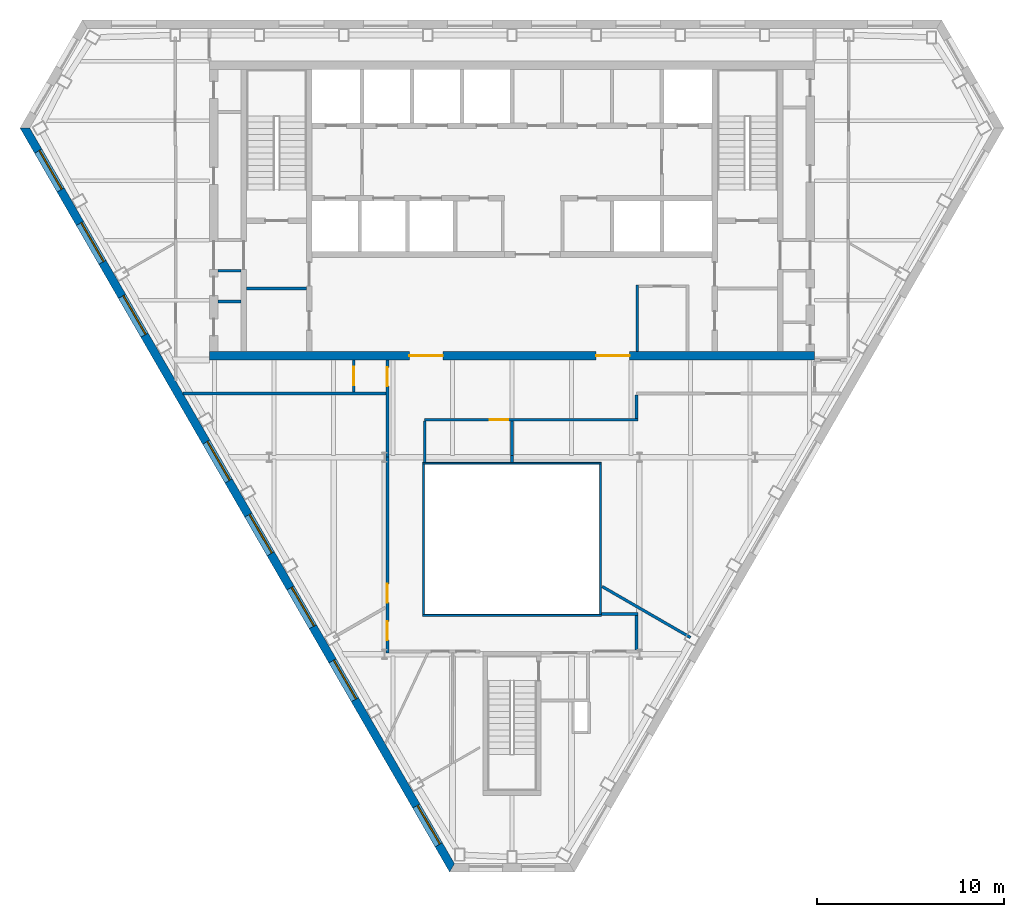
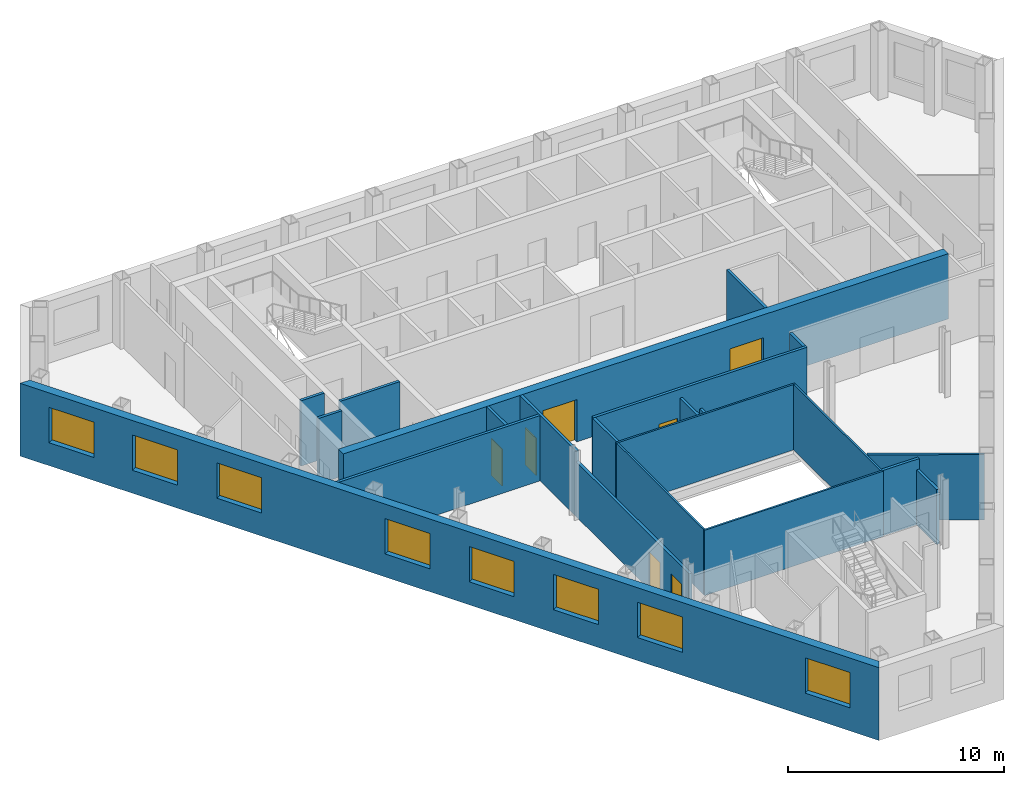
# One storey, part 4 of 10: 22 walls, 8 windows, 7 doors, 15 openings.
"""IFC4 building model written with IfcOpenShell, lengths in metres."""

from ifc_helpers import new_model, si_unit, direction, frame, frame_2d, origin, place, context, subcontext, project, spatial, polyline, rectangle, outline, extrude, material, layer, layer_set, type_object, element, fill, save


model = new_model("IFC4")

# Units and contexts
model_context = context("Model", 3, precision=1e-05, world=origin(), true_north=direction((0.0, 1.0)))
body_context = subcontext(model_context, "Body", "Model", "MODEL_VIEW")
ifc_project = project(units=[si_unit("LENGTHUNIT", "METRE"), si_unit("AREAUNIT", "SQUARE_METRE"), si_unit("VOLUMEUNIT", "CUBIC_METRE"), si_unit("PLANEANGLEUNIT", "RADIAN"), si_unit("MASSUNIT", "GRAM", prefix="KILO")], contexts=[model_context])

# Site, building, storey
site_placement = place(None, origin())
site = spatial("IfcSite", under=ifc_project, at=site_placement, CompositionType="ELEMENT")
building_placement = place(site_placement, origin())
building = spatial("IfcBuilding", under=site, at=building_placement, Name="Njiva Tower", CompositionType="ELEMENT")
storey_placement = place(building_placement, frame((0.0, 0.0, 235.5)))
storey = spatial("IfcBuildingStorey", under=building, at=storey_placement, Name="L53", CompositionType="ELEMENT", Elevation=235.5)

# Walls
ifc_material_1 = material(Name="Blockwork", Category="masonry")
ifc_layer_1 = layer(ifc_material_1, 0.15)
ifc_layer_set_1 = layer_set([ifc_layer_1], Name="Blockwork")
wall_type_1 = type_object("IfcWallType", Name="WT1 Compartment partition 150", PredefinedType="PARTITIONING", material=ifc_layer_set_1)
wall_1_placement = place(storey_placement, frame((-14.2, 5.825, 0.0), z_axis=(0.0, 0.0, 1.0), x_axis=(1.0, 0.0, 0.0)))
element("IfcWall", 1, at=wall_1_placement, inside=storey, type_object=wall_type_1, Name="Room wall A", PredefinedType="PARTITIONING", context=body_context, shape_type="SweptSolid", body=[
    extrude(rectangle(XDim=3.2, YDim=0.15, at=frame_2d((1.6, 0.0))), origin(), (0.0, 0.0, 1.0), 3.7),
])
wall_2_placement = place(storey_placement, frame((-15.75, 5.125, 0.0), z_axis=(0.0, 0.0, 1.0), x_axis=(1.0, 0.0, 0.0)))
element("IfcWall", 2, at=wall_2_placement, inside=storey, type_object=wall_type_1, Name="Partition strip W00", PredefinedType="PARTITIONING", context=body_context, shape_type="SweptSolid", body=[
    extrude(rectangle(XDim=1.25, YDim=0.15, at=frame_2d((0.625, 0.0))), origin(), (0.0, 0.0, 1.0), 3.7),
])
wall_3_placement = place(storey_placement, frame((6.7, 2.45, 0.0), z_axis=(0.0, 0.0, 1.0), x_axis=(0.0, 1.0, 0.0)))
element("IfcWall", 3, at=wall_3_placement, inside=storey, type_object=wall_type_1, Name="Security office wall west", PredefinedType="PARTITIONING", context=body_context, shape_type="SweptSolid", body=[
    extrude(rectangle(XDim=3.575, YDim=0.15, at=frame_2d((1.7875, 0.0))), origin(), (0.0, 0.0, 1.0), 3.7),
])

# Wall, openings, doors
ifc_material_2 = material(Name="Concrete C60/75", Category="concrete")
ifc_layer_2 = layer(ifc_material_2, 0.45)
ifc_layer_set_2 = layer_set([ifc_layer_2], Name="Concrete C60/75")
wall_type_2 = type_object("IfcWallType", Name="WT12 Core wall 450", PredefinedType="SHEAR", material=ifc_layer_set_2)
wall_4_placement = place(storey_placement, frame((-16.2, 2.225, 0.0), z_axis=(0.0, 0.0, 1.0), x_axis=(1.0, 0.0, 0.0)))
wall_4 = element("IfcWall", 4, at=wall_4_placement, inside=storey, type_object=wall_type_2, Name="Core wall south", PredefinedType="SHEAR", context=body_context, shape_type="SweptSolid", body=[
    extrude(rectangle(XDim=32.4, YDim=0.45, at=frame_2d((16.2, 0.0))), origin(), (0.0, 0.0, 1.0), 3.7),
])
opening_1_placement = place(wall_4_placement, frame((10.7, 0.0, 0.0)))
opening_1 = element("IfcOpeningElement", 5, at=opening_1_placement, cuts=wall_4, Name="Opening S17-D936", PredefinedType="OPENING", context=body_context, shape_type="SweptSolid", body=[
    extrude(rectangle(XDim=1.8, YDim=2.4, at=frame_2d((0.9, 1.2))), frame((0.0, 0.235, 0.0), z_axis=(0.0, -1.0, 0.0), x_axis=(1.0, 0.0, 0.0)), (0.0, 0.0, 1.0), 0.47),
])
opening_2_placement = place(wall_4_placement, frame((20.7, 0.0, 0.0)))
opening_2 = element("IfcOpeningElement", 6, at=opening_2_placement, cuts=wall_4, Name="Opening S17-D937", PredefinedType="OPENING", context=body_context, shape_type="SweptSolid", body=[
    extrude(rectangle(XDim=1.8, YDim=2.4, at=frame_2d((0.9, 1.2))), frame((0.0, 0.235, 0.0), z_axis=(0.0, -1.0, 0.0), x_axis=(1.0, 0.0, 0.0)), (0.0, 0.0, 1.0), 0.47),
])
ifc_material_3 = material(Name="Steel and glass door", Category="steel")
door_type_1 = type_object("IfcDoorType", Name="D3 Core entrance door 1800x2400", OperationType="DOUBLE_DOOR_SINGLE_SWING", PredefinedType="DOOR", material=ifc_material_3)
door_1_placement = place(opening_1_placement, origin())
door_1 = element("IfcDoor", 7, at=door_1_placement, inside=storey, type_object=door_type_1, Name="Core entrance door", OperationType="DOUBLE_DOOR_SINGLE_SWING", OverallHeight=2.4, OverallWidth=1.8, PredefinedType="DOOR", context=body_context, shape_type="SweptSolid", body=[
    extrude(rectangle(XDim=1.8, YDim=2.4, at=frame_2d((0.9, 1.2))), frame((0.0, 0.025, 0.0), z_axis=(0.0, -1.0, 0.0), x_axis=(1.0, 0.0, 0.0)), (0.0, 0.0, 1.0), 0.05),
])
fill(opening_1, door_1)
door_2_placement = place(opening_2_placement, origin())
door_2 = element("IfcDoor", 8, at=door_2_placement, inside=storey, type_object=door_type_1, Name="Core entrance door", OperationType="DOUBLE_DOOR_SINGLE_SWING", OverallHeight=2.4, OverallWidth=1.8, PredefinedType="DOOR", context=body_context, shape_type="SweptSolid", body=[
    extrude(rectangle(XDim=1.8, YDim=2.4, at=frame_2d((0.9, 1.2))), frame((0.0, 0.025, 0.0), z_axis=(0.0, -1.0, 0.0), x_axis=(1.0, 0.0, 0.0)), (0.0, 0.0, 1.0), 0.05),
])
fill(opening_2, door_2)

# Wall
ifc_material_4 = material(Name="Gypsum board on steel studs", Category="gypsum")
ifc_layer_3 = layer(ifc_material_4, 0.15)
ifc_layer_set_3 = layer_set([ifc_layer_3], Name="Gypsum board on steel studs")
wall_type_3 = type_object("IfcWallType", Name="WT21 Compartment wall 150", PredefinedType="PARTITIONING", material=ifc_layer_set_3)
wall_5_placement = place(storey_placement, frame((-17.608, 0.2, 0.0), z_axis=(0.0, 0.0, 1.0), x_axis=(1.0, 0.0, 0.0)))
element("IfcWall", 9, at=wall_5_placement, inside=storey, type_object=wall_type_3, Name="Partition S17-P004", PredefinedType="PARTITIONING", context=body_context, shape_type="SweptSolid", body=[
    extrude(rectangle(XDim=10.863, YDim=0.15, at=frame_2d((5.4315, 0.0))), origin(), (0.0, 0.0, 1.0), 3.7),
])

# Wall, opening, door
wall_6_placement = place(storey_placement, frame((-8.47, 0.275, 0.0), z_axis=(0.0, 0.0, 1.0), x_axis=(0.0, 1.0, 0.0)))
wall_6 = element("IfcWall", 10, at=wall_6_placement, inside=storey, type_object=wall_type_3, Name="Partition S17-P007", PredefinedType="PARTITIONING", context=body_context, shape_type="SweptSolid", body=[
    extrude(rectangle(XDim=1.725, YDim=0.15, at=frame_2d((0.8625, 0.0))), origin(), (0.0, 0.0, 1.0), 3.7),
])
opening_3_placement = place(wall_6_placement, frame((0.363, 0.0, 0.0)))
opening_3 = element("IfcOpeningElement", 11, at=opening_3_placement, cuts=wall_6, Name="Opening S17-D005", PredefinedType="OPENING", context=body_context, shape_type="SweptSolid", body=[
    extrude(rectangle(XDim=1.0, YDim=2.1, at=frame_2d((0.5, 1.05))), frame((0.0, 0.085, 0.0), z_axis=(0.0, -1.0, 0.0), x_axis=(1.0, 0.0, 0.0)), (0.0, 0.0, 1.0), 0.17),
])
ifc_material_5 = material(Name="Steel fire door set", Category="steel")
door_type_2 = type_object("IfcDoorType", Name="D37 Fire door 1000x2100", OperationType="SINGLE_SWING_LEFT", PredefinedType="DOOR", material=ifc_material_5)
door_3_placement = place(opening_3_placement, origin())
door_3 = element("IfcDoor", 12, at=door_3_placement, inside=storey, type_object=door_type_2, Name="Door S17-D005", OperationType="SINGLE_SWING_LEFT", OverallHeight=2.1, OverallWidth=1.0, PredefinedType="DOOR", context=body_context, shape_type="SweptSolid", body=[
    extrude(rectangle(XDim=1.0, YDim=2.1, at=frame_2d((0.5, 1.05))), frame((0.0, 0.025, 0.0), z_axis=(0.0, -1.0, 0.0), x_axis=(1.0, 0.0, 0.0)), (0.0, 0.0, 1.0), 0.05),
])
fill(opening_3, door_3)

# Wall, openings, doors
wall_7_placement = place(storey_placement, frame((-6.67, -13.675, 0.0), z_axis=(0.0, 0.0, 1.0), x_axis=(0.0, 1.0, 0.0)))
wall_7 = element("IfcWall", 13, at=wall_7_placement, inside=storey, type_object=wall_type_3, Name="Partition S17-P009", PredefinedType="PARTITIONING", context=body_context, shape_type="SweptSolid", body=[
    extrude(rectangle(XDim=10.475, YDim=0.15, at=frame_2d((5.2375, 0.0))), origin(), (0.0, 0.0, 1.0), 3.11),
])
opening_4_placement = place(wall_7_placement, frame((0.678, 0.0, 0.0)))
opening_4 = element("IfcOpeningElement", 14, at=opening_4_placement, cuts=wall_7, Name="Opening S17-D006", PredefinedType="OPENING", context=body_context, shape_type="SweptSolid", body=[
    extrude(rectangle(XDim=1.0, YDim=2.1, at=frame_2d((0.5, 1.05))), frame((0.0, 0.085, 0.0), z_axis=(0.0, -1.0, 0.0), x_axis=(1.0, 0.0, 0.0)), (0.0, 0.0, 1.0), 0.17),
])
opening_5_placement = place(wall_7_placement, frame((2.685, 0.0, 0.0)))
opening_5 = element("IfcOpeningElement", 15, at=opening_5_placement, cuts=wall_7, Name="Opening S17-D007", PredefinedType="OPENING", context=body_context, shape_type="SweptSolid", body=[
    extrude(rectangle(XDim=1.0, YDim=2.1, at=frame_2d((0.5, 1.05))), frame((0.0, 0.085, 0.0), z_axis=(0.0, -1.0, 0.0), x_axis=(1.0, 0.0, 0.0)), (0.0, 0.0, 1.0), 0.17),
])
door_4_placement = place(opening_4_placement, origin())
door_4 = element("IfcDoor", 16, at=door_4_placement, inside=storey, type_object=door_type_2, Name="Door S17-D006", OperationType="SINGLE_SWING_RIGHT", OverallHeight=2.1, OverallWidth=1.0, PredefinedType="DOOR", context=body_context, shape_type="SweptSolid", body=[
    extrude(rectangle(XDim=1.0, YDim=2.1, at=frame_2d((0.5, 1.05))), frame((0.0, 0.025, 0.0), z_axis=(0.0, -1.0, 0.0), x_axis=(1.0, 0.0, 0.0)), (0.0, 0.0, 1.0), 0.05),
])
fill(opening_4, door_4)
door_5_placement = place(opening_5_placement, origin())
door_5 = element("IfcDoor", 17, at=door_5_placement, inside=storey, type_object=door_type_2, Name="Door S17-D007", OperationType="SINGLE_SWING_RIGHT", OverallHeight=2.1, OverallWidth=1.0, PredefinedType="DOOR", context=body_context, shape_type="SweptSolid", body=[
    extrude(rectangle(XDim=1.0, YDim=2.1, at=frame_2d((0.5, 1.05))), frame((0.0, 0.025, 0.0), z_axis=(0.0, -1.0, 0.0), x_axis=(1.0, 0.0, 0.0)), (0.0, 0.0, 1.0), 0.05),
])
fill(opening_5, door_5)

# Wall, opening, door
wall_8_placement = place(storey_placement, frame((-6.67, -3.2, 0.0), z_axis=(0.0, 0.0, 1.0), x_axis=(0.0, 1.0, 0.0)))
wall_8 = element("IfcWall", 18, at=wall_8_placement, inside=storey, type_object=wall_type_3, Name="Partition S17-P009A", PredefinedType="PARTITIONING", context=body_context, shape_type="SweptSolid", body=[
    extrude(rectangle(XDim=5.2, YDim=0.15, at=frame_2d((2.6, 0.0))), origin(), (0.0, 0.0, 1.0), 3.7),
])
opening_6_placement = place(wall_8_placement, frame((3.8, 0.0, 0.0)))
opening_6 = element("IfcOpeningElement", 19, at=opening_6_placement, cuts=wall_8, Name="Opening S17-D008", PredefinedType="OPENING", context=body_context, shape_type="SweptSolid", body=[
    extrude(rectangle(XDim=1.0, YDim=2.1, at=frame_2d((0.5, 1.05))), frame((0.0, 0.085, 0.0), z_axis=(0.0, -1.0, 0.0), x_axis=(1.0, 0.0, 0.0)), (0.0, 0.0, 1.0), 0.17),
])
door_6_placement = place(opening_6_placement, origin())
door_6 = element("IfcDoor", 20, at=door_6_placement, inside=storey, type_object=door_type_2, Name="Door S17-D008", OperationType="SINGLE_SWING_LEFT", OverallHeight=2.1, OverallWidth=1.0, PredefinedType="DOOR", context=body_context, shape_type="SweptSolid", body=[
    extrude(rectangle(XDim=1.0, YDim=2.1, at=frame_2d((0.5, 1.05))), frame((0.0, 0.025, 0.0), z_axis=(0.0, -1.0, 0.0), x_axis=(1.0, 0.0, 0.0)), (0.0, 0.0, 1.0), 0.05),
])
fill(opening_6, door_6)

wall_9_placement = place(storey_placement, frame((-4.681, -1.2, 0.0), z_axis=(0.0, 0.0, 1.0), x_axis=(1.0, 0.0, 0.0)))
wall_9 = element("IfcWall", 21, at=wall_9_placement, inside=storey, type_object=wall_type_3, Name="Partition S17-P012", PredefinedType="PARTITIONING", context=body_context, shape_type="SweptSolid", body=[
    extrude(rectangle(XDim=11.426, YDim=0.15, at=frame_2d((5.713, 0.0))), origin(), (0.0, 0.0, 1.0), 3.7),
])
opening_7_placement = place(wall_9_placement, frame((3.481, 0.0, 0.0)))
opening_7 = element("IfcOpeningElement", 22, at=opening_7_placement, cuts=wall_9, Name="Opening S17-D011", PredefinedType="OPENING", context=body_context, shape_type="SweptSolid", body=[
    extrude(rectangle(XDim=1.0, YDim=2.1, at=frame_2d((0.5, 1.05))), frame((0.0, 0.085, 0.0), z_axis=(0.0, -1.0, 0.0), x_axis=(1.0, 0.0, 0.0)), (0.0, 0.0, 1.0), 0.17),
])
door_7_placement = place(opening_7_placement, origin())
door_7 = element("IfcDoor", 23, at=door_7_placement, inside=storey, type_object=door_type_2, Name="Door S17-D011", OperationType="SINGLE_SWING_LEFT", OverallHeight=2.1, OverallWidth=1.0, PredefinedType="DOOR", context=body_context, shape_type="SweptSolid", body=[
    extrude(rectangle(XDim=1.0, YDim=2.1, at=frame_2d((0.5, 1.05))), frame((0.0, 0.025, 0.0), z_axis=(0.0, -1.0, 0.0), x_axis=(1.0, 0.0, 0.0)), (0.0, 0.0, 1.0), 0.05),
])
fill(opening_7, door_7)

# Walls
wall_10_placement = place(storey_placement, frame((-4.67, -3.48, 0.0), z_axis=(0.0, 0.0, 1.0), x_axis=(0.000453514693, 0.999999897162, 0.0)))
element("IfcWall", 24, at=wall_10_placement, inside=storey, type_object=wall_type_3, Name="Partition S17-P013", PredefinedType="PARTITIONING", context=body_context, shape_type="SweptSolid", body=[
    extrude(rectangle(XDim=2.205, YDim=0.15, at=frame_2d((1.1025, 0.0))), origin(), (0.0, 0.0, 1.0), 3.7),
])
wall_11_placement = place(storey_placement, frame((-0.001, -3.48, 0.0), z_axis=(0.0, 0.0, 1.0), x_axis=(0.000526315717, 0.999999861496, 0.0)))
element("IfcWall", 25, at=wall_11_placement, inside=storey, type_object=wall_type_3, Name="Partition S17-P016", PredefinedType="PARTITIONING", context=body_context, shape_type="SweptSolid", body=[
    extrude(rectangle(XDim=0.38, YDim=0.15, at=frame_2d((0.19, 0.0))), origin(), (0.0, 0.0, 1.0), 3.7),
])
wall_12_placement = place(storey_placement, frame((-0.0008, -3.1, 0.0), z_axis=(0.0, 0.0, 1.0), x_axis=(0.000438356122, 0.999999903922, 0.0)))
element("IfcWall", 26, at=wall_12_placement, inside=storey, type_object=wall_type_3, Name="Partition S17-P016A", PredefinedType="PARTITIONING", context=body_context, shape_type="SweptSolid", body=[
    extrude(rectangle(XDim=1.825, YDim=0.15, at=frame_2d((0.9125, 0.0))), origin(), (0.0, 0.0, 1.0), 3.2),
])
wall_13_placement = place(storey_placement, frame((4.79, -11.6, 0.0), z_axis=(0.0, 0.0, 1.0), x_axis=(1.0, 0.0, 0.0)))
element("IfcWall", 27, at=wall_13_placement, inside=storey, type_object=wall_type_3, Name="Partition S17-P018", PredefinedType="PARTITIONING", context=body_context, shape_type="SweptSolid", body=[
    extrude(rectangle(XDim=1.955, YDim=0.15, at=frame_2d((0.9775, 0.0))), origin(), (0.0, 0.0, 1.0), 3.7),
])
wall_14_placement = place(storey_placement, frame((4.827, -10.127, 0.0), z_axis=(0.0, 0.0, 1.0), x_axis=(0.866103179807, -0.499865263774, 0.0)))
element("IfcWall", 28, at=wall_14_placement, inside=storey, type_object=wall_type_3, Name="Partition S17-P019", PredefinedType="PARTITIONING", context=body_context, shape_type="SweptSolid", body=[
    extrude(rectangle(XDim=5.4555, YDim=0.15, at=frame_2d((2.7278, 0.0))), origin(), (0.0, 0.0, 1.0), 3.7),
])
wall_15_placement = place(storey_placement, frame((6.67, -13.525, 0.0), z_axis=(0.0, 0.0, 1.0), x_axis=(0.0, 1.0, 0.0)))
element("IfcWall", 29, at=wall_15_placement, inside=storey, type_object=wall_type_3, Name="Partition S17-P020", PredefinedType="PARTITIONING", context=body_context, shape_type="SweptSolid", body=[
    extrude(rectangle(XDim=1.85, YDim=0.15, at=frame_2d((0.925, 0.0))), origin(), (0.0, 0.0, 1.0), 3.11),
])
wall_16_placement = place(storey_placement, frame((6.67, -1.125, 0.0), z_axis=(0.0, 0.0, 1.0), x_axis=(0.0, 1.0, 0.0)))
element("IfcWall", 30, at=wall_16_placement, inside=storey, type_object=wall_type_3, Name="Partition S17-P021", PredefinedType="PARTITIONING", context=body_context, shape_type="SweptSolid", body=[
    extrude(rectangle(XDim=1.25, YDim=0.15, at=frame_2d((0.625, 0.0))), origin(), (0.0, 0.0, 1.0), 3.7),
])
ifc_layer_4 = layer(ifc_material_1, 0.15)
ifc_layer_set_4 = layer_set([ifc_layer_4], Name="Blockwork")
wall_type_4 = type_object("IfcWallType", Name="WT4 Stair partition 150", PredefinedType="PARTITIONING", material=ifc_layer_set_4)
wall_17_placement = place(storey_placement, frame((-15.75, 6.775, 0.0), z_axis=(0.0, 0.0, 1.0), x_axis=(1.0, 0.0, 0.0)))
element("IfcWall", 31, at=wall_17_placement, inside=storey, type_object=wall_type_4, Name="Stair A exit passage wall south", PredefinedType="PARTITIONING", context=body_context, shape_type="SweptSolid", body=[
    extrude(rectangle(XDim=1.25, YDim=0.15, at=frame_2d((0.625, 0.0))), origin(), (0.0, 0.0, 1.0), 3.7),
])

# Wall, openings, windows
ifc_material_6 = material(Name="Brick masonry", Category="masonry")
ifc_layer_5 = layer(ifc_material_6, 0.45)
ifc_layer_set_5 = layer_set([ifc_layer_5], Name="Brick masonry")
wall_type_5 = type_object("IfcWallType", Name="WT90 Brick pier and spandrel wall 450", PredefinedType="SOLIDWALL", material=ifc_layer_set_5)
wall_18_placement = place(storey_placement, frame((-26.0752, 14.415, -0.4), z_axis=(0.0, 0.0, 1.0), x_axis=(0.499999194392, -0.866025868902, 0.0)))
wall_18 = element("IfcWall", 32, at=wall_18_placement, inside=storey, type_object=wall_type_5, Name="Facade wall SW", PredefinedType="SOLIDWALL", context=body_context, shape_type="SweptSolid", body=[
    extrude(outline(polyline([(-0.1299, -0.225), (45.8602, -0.225), (45.6004, 0.225), (0.1299, 0.225), (-0.1299, -0.225)])), origin(), (0.0, 0.0, 1.0), 4.12),
])
opening_8_placement = place(wall_18_placement, frame((1.4237, 0.0, 1.3)))
opening_8 = element("IfcOpeningElement", 33, at=opening_8_placement, cuts=wall_18, Name="Opening S17-W11", PredefinedType="OPENING", context=body_context, shape_type="SweptSolid", body=[
    extrude(rectangle(XDim=2.4, YDim=2.0, at=frame_2d((1.2, 1.0))), frame((0.0, 0.235, 0.0), z_axis=(0.0, -1.0, 0.0), x_axis=(1.0, 0.0, 0.0)), (0.0, 0.0, 1.0), 0.47),
])
opening_9_placement = place(wall_18_placement, frame((5.8919, 0.0, 1.3)))
opening_9 = element("IfcOpeningElement", 34, at=opening_9_placement, cuts=wall_18, Name="Opening S17-W12", PredefinedType="OPENING", context=body_context, shape_type="SweptSolid", body=[
    extrude(rectangle(XDim=2.4, YDim=2.0, at=frame_2d((1.2, 1.0))), frame((0.0, 0.235, 0.0), z_axis=(0.0, -1.0, 0.0), x_axis=(1.0, 0.0, 0.0)), (0.0, 0.0, 1.0), 0.47),
])
opening_10_placement = place(wall_18_placement, frame((10.3985, 0.0, 1.3)))
opening_10 = element("IfcOpeningElement", 35, at=opening_10_placement, cuts=wall_18, Name="Opening S17-W13", PredefinedType="OPENING", context=body_context, shape_type="SweptSolid", body=[
    extrude(rectangle(XDim=2.4, YDim=2.0, at=frame_2d((1.2, 1.0))), frame((0.0, 0.235, 0.0), z_axis=(0.0, -1.0, 0.0), x_axis=(1.0, 0.0, 0.0)), (0.0, 0.0, 1.0), 0.47),
])
opening_11_placement = place(wall_18_placement, frame((19.4118, 0.0, 1.3)))
opening_11 = element("IfcOpeningElement", 36, at=opening_11_placement, cuts=wall_18, Name="Opening S17-W14", PredefinedType="OPENING", context=body_context, shape_type="SweptSolid", body=[
    extrude(rectangle(XDim=2.4, YDim=2.0, at=frame_2d((1.2, 1.0))), frame((0.0, 0.235, 0.0), z_axis=(0.0, -1.0, 0.0), x_axis=(1.0, 0.0, 0.0)), (0.0, 0.0, 1.0), 0.47),
])
opening_12_placement = place(wall_18_placement, frame((23.9184, 0.0, 1.3)))
opening_12 = element("IfcOpeningElement", 37, at=opening_12_placement, cuts=wall_18, Name="Opening S17-W15", PredefinedType="OPENING", context=body_context, shape_type="SweptSolid", body=[
    extrude(rectangle(XDim=2.4, YDim=2.0, at=frame_2d((1.2, 1.0))), frame((0.0, 0.235, 0.0), z_axis=(0.0, -1.0, 0.0), x_axis=(1.0, 0.0, 0.0)), (0.0, 0.0, 1.0), 0.47),
])
opening_13_placement = place(wall_18_placement, frame((28.425, 0.0, 1.3)))
opening_13 = element("IfcOpeningElement", 38, at=opening_13_placement, cuts=wall_18, Name="Opening S17-W16", PredefinedType="OPENING", context=body_context, shape_type="SweptSolid", body=[
    extrude(rectangle(XDim=2.4, YDim=2.0, at=frame_2d((1.2, 1.0))), frame((0.0, 0.235, 0.0), z_axis=(0.0, -1.0, 0.0), x_axis=(1.0, 0.0, 0.0)), (0.0, 0.0, 1.0), 0.47),
])
opening_14_placement = place(wall_18_placement, frame((32.9316, 0.0, 1.3)))
opening_14 = element("IfcOpeningElement", 39, at=opening_14_placement, cuts=wall_18, Name="Opening S17-W17", PredefinedType="OPENING", context=body_context, shape_type="SweptSolid", body=[
    extrude(rectangle(XDim=2.4, YDim=2.0, at=frame_2d((1.2, 1.0))), frame((0.0, 0.235, 0.0), z_axis=(0.0, -1.0, 0.0), x_axis=(1.0, 0.0, 0.0)), (0.0, 0.0, 1.0), 0.47),
])
opening_15_placement = place(wall_18_placement, frame((41.9065, 0.0, 1.3)))
opening_15 = element("IfcOpeningElement", 40, at=opening_15_placement, cuts=wall_18, Name="Opening S17-W18", PredefinedType="OPENING", context=body_context, shape_type="SweptSolid", body=[
    extrude(rectangle(XDim=2.4, YDim=2.0, at=frame_2d((1.2, 1.0))), frame((0.0, 0.235, 0.0), z_axis=(0.0, -1.0, 0.0), x_axis=(1.0, 0.0, 0.0)), (0.0, 0.0, 1.0), 0.47),
])
ifc_material_7 = material(Name="Clear glazing in aluminium frame", Category="aluminium")
window_type = type_object("IfcWindowType", Name="W90 Deep-set window 2400x2000", PartitioningType="SINGLE_PANEL", PredefinedType="WINDOW", material=ifc_material_7)
window_1_placement = place(opening_8_placement, origin())
window_1 = element("IfcWindow", 41, at=window_1_placement, inside=storey, type_object=window_type, Name="Window", OverallHeight=2.0, OverallWidth=2.4, PartitioningType="SINGLE_PANEL", PredefinedType="WINDOW", context=body_context, shape_type="SweptSolid", body=[
    extrude(rectangle(XDim=2.4, YDim=2.0, at=frame_2d((1.2, 1.0))), frame((0.0, 0.105, 0.0), z_axis=(0.0, -1.0, 0.0), x_axis=(1.0, 0.0, 0.0)), (0.0, 0.0, 1.0), 0.06),
])
fill(opening_8, window_1)
window_2_placement = place(opening_9_placement, origin())
window_2 = element("IfcWindow", 42, at=window_2_placement, inside=storey, type_object=window_type, Name="Window", OverallHeight=2.0, OverallWidth=2.4, PartitioningType="SINGLE_PANEL", PredefinedType="WINDOW", context=body_context, shape_type="SweptSolid", body=[
    extrude(rectangle(XDim=2.4, YDim=2.0, at=frame_2d((1.2, 1.0))), frame((0.0, 0.105, 0.0), z_axis=(0.0, -1.0, 0.0), x_axis=(1.0, 0.0, 0.0)), (0.0, 0.0, 1.0), 0.06),
])
fill(opening_9, window_2)
window_3_placement = place(opening_10_placement, origin())
window_3 = element("IfcWindow", 43, at=window_3_placement, inside=storey, type_object=window_type, Name="Window", OverallHeight=2.0, OverallWidth=2.4, PartitioningType="SINGLE_PANEL", PredefinedType="WINDOW", context=body_context, shape_type="SweptSolid", body=[
    extrude(rectangle(XDim=2.4, YDim=2.0, at=frame_2d((1.2, 1.0))), frame((0.0, 0.105, 0.0), z_axis=(0.0, -1.0, 0.0), x_axis=(1.0, 0.0, 0.0)), (0.0, 0.0, 1.0), 0.06),
])
fill(opening_10, window_3)
window_4_placement = place(opening_11_placement, origin())
window_4 = element("IfcWindow", 44, at=window_4_placement, inside=storey, type_object=window_type, Name="Window", OverallHeight=2.0, OverallWidth=2.4, PartitioningType="SINGLE_PANEL", PredefinedType="WINDOW", context=body_context, shape_type="SweptSolid", body=[
    extrude(rectangle(XDim=2.4, YDim=2.0, at=frame_2d((1.2, 1.0))), frame((0.0, 0.105, 0.0), z_axis=(0.0, -1.0, 0.0), x_axis=(1.0, 0.0, 0.0)), (0.0, 0.0, 1.0), 0.06),
])
fill(opening_11, window_4)
window_5_placement = place(opening_12_placement, origin())
window_5 = element("IfcWindow", 45, at=window_5_placement, inside=storey, type_object=window_type, Name="Window", OverallHeight=2.0, OverallWidth=2.4, PartitioningType="SINGLE_PANEL", PredefinedType="WINDOW", context=body_context, shape_type="SweptSolid", body=[
    extrude(rectangle(XDim=2.4, YDim=2.0, at=frame_2d((1.2, 1.0))), frame((0.0, 0.105, 0.0), z_axis=(0.0, -1.0, 0.0), x_axis=(1.0, 0.0, 0.0)), (0.0, 0.0, 1.0), 0.06),
])
fill(opening_12, window_5)
window_6_placement = place(opening_13_placement, origin())
window_6 = element("IfcWindow", 46, at=window_6_placement, inside=storey, type_object=window_type, Name="Window", OverallHeight=2.0, OverallWidth=2.4, PartitioningType="SINGLE_PANEL", PredefinedType="WINDOW", context=body_context, shape_type="SweptSolid", body=[
    extrude(rectangle(XDim=2.4, YDim=2.0, at=frame_2d((1.2, 1.0))), frame((0.0, 0.105, 0.0), z_axis=(0.0, -1.0, 0.0), x_axis=(1.0, 0.0, 0.0)), (0.0, 0.0, 1.0), 0.06),
])
fill(opening_13, window_6)
window_7_placement = place(opening_14_placement, origin())
window_7 = element("IfcWindow", 47, at=window_7_placement, inside=storey, type_object=window_type, Name="Window", OverallHeight=2.0, OverallWidth=2.4, PartitioningType="SINGLE_PANEL", PredefinedType="WINDOW", context=body_context, shape_type="SweptSolid", body=[
    extrude(rectangle(XDim=2.4, YDim=2.0, at=frame_2d((1.2, 1.0))), frame((0.0, 0.105, 0.0), z_axis=(0.0, -1.0, 0.0), x_axis=(1.0, 0.0, 0.0)), (0.0, 0.0, 1.0), 0.06),
])
fill(opening_14, window_7)
window_8_placement = place(opening_15_placement, origin())
window_8 = element("IfcWindow", 48, at=window_8_placement, inside=storey, type_object=window_type, Name="Window", OverallHeight=2.0, OverallWidth=2.4, PartitioningType="SINGLE_PANEL", PredefinedType="WINDOW", context=body_context, shape_type="SweptSolid", body=[
    extrude(rectangle(XDim=2.4, YDim=2.0, at=frame_2d((1.2, 1.0))), frame((0.0, 0.105, 0.0), z_axis=(0.0, -1.0, 0.0), x_axis=(1.0, 0.0, 0.0)), (0.0, 0.0, 1.0), 0.06),
])
fill(opening_15, window_8)

# Walls
ifc_material_8 = material(Name="Fire-resisting glazing EI 90", Category="glass")
ifc_layer_6 = layer(ifc_material_8, 0.1)
ifc_layer_set_6 = layer_set([ifc_layer_6], Name="Fire-resisting glazing EI 90")
wall_type_6 = type_object("IfcWallType", Name="WT95 Fire-resisting glazed screen EI 90", PredefinedType="PARTITIONING", material=ifc_layer_set_6)
wall_19_placement = place(storey_placement, frame((-4.79, -11.67, 0.0), z_axis=(0.0, 0.0, 1.0), x_axis=(1.0, 0.0, 0.0)))
element("IfcWall", 49, at=wall_19_placement, inside=storey, type_object=wall_type_6, Name="Atrium fire screen south", PredefinedType="PARTITIONING", context=body_context, shape_type="SweptSolid", body=[
    extrude(rectangle(XDim=9.58, YDim=0.1, at=frame_2d((4.79, 0.0))), origin(), (0.0, 0.0, 1.0), 3.7),
])
wall_20_placement = place(storey_placement, frame((4.74, -11.62, 0.0), z_axis=(0.0, 0.0, 1.0), x_axis=(0.0, 1.0, 0.0)))
element("IfcWall", 50, at=wall_20_placement, inside=storey, type_object=wall_type_6, Name="Atrium fire screen east", PredefinedType="PARTITIONING", context=body_context, shape_type="SweptSolid", body=[
    extrude(rectangle(XDim=8.04, YDim=0.1, at=frame_2d((4.02, 0.0))), origin(), (0.0, 0.0, 1.0), 3.7),
])
wall_21_placement = place(storey_placement, frame((4.79, -3.53, 0.0), z_axis=(0.0, 0.0, 1.0), x_axis=(-1.0, 0.0, 0.0)))
element("IfcWall", 51, at=wall_21_placement, inside=storey, type_object=wall_type_6, Name="Atrium fire screen north", PredefinedType="PARTITIONING", context=body_context, shape_type="SweptSolid", body=[
    extrude(rectangle(XDim=9.58, YDim=0.1, at=frame_2d((4.79, 0.0))), origin(), (0.0, 0.0, 1.0), 3.7),
])
wall_22_placement = place(storey_placement, frame((-4.74, -3.58, 0.0), z_axis=(0.0, 0.0, 1.0), x_axis=(0.0, -1.0, 0.0)))
element("IfcWall", 52, at=wall_22_placement, inside=storey, type_object=wall_type_6, Name="Atrium fire screen west", PredefinedType="PARTITIONING", context=body_context, shape_type="SweptSolid", body=[
    extrude(rectangle(XDim=8.04, YDim=0.1, at=frame_2d((4.02, 0.0))), origin(), (0.0, 0.0, 1.0), 3.7),
])

save(model, "model.ifc")
